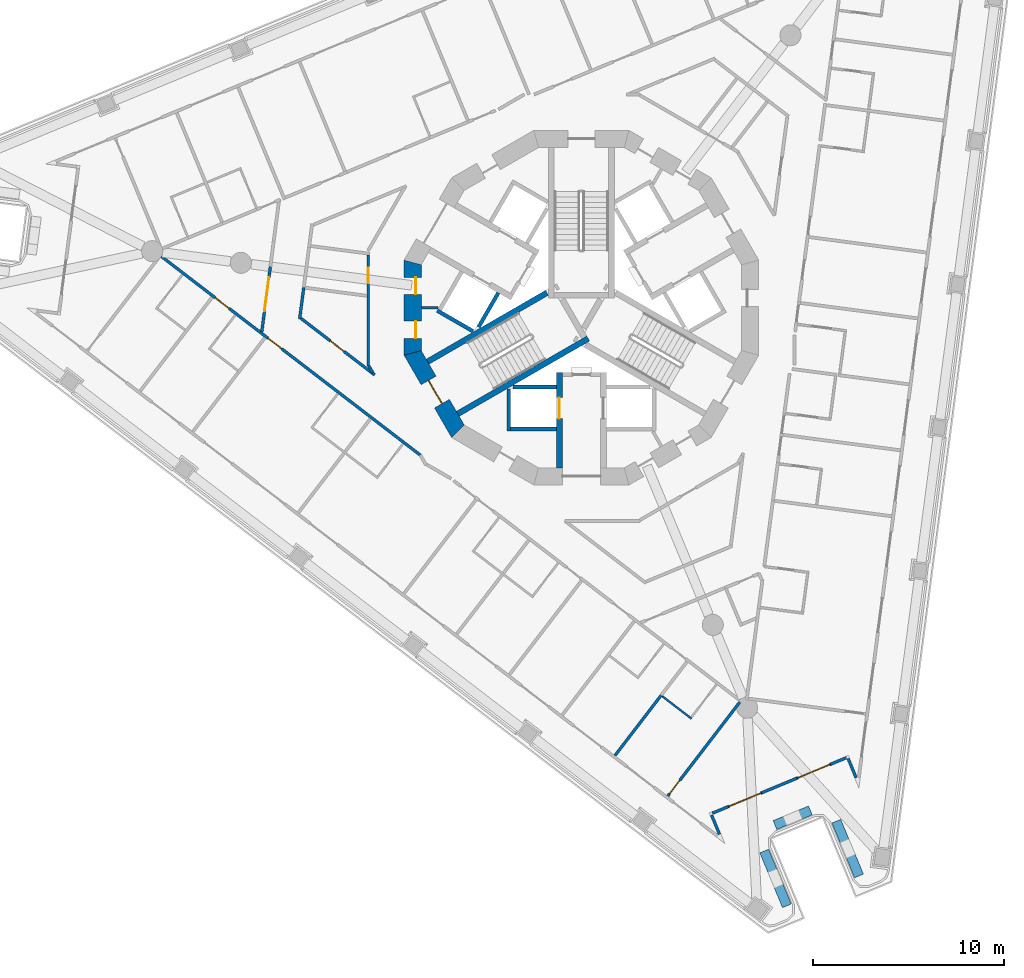
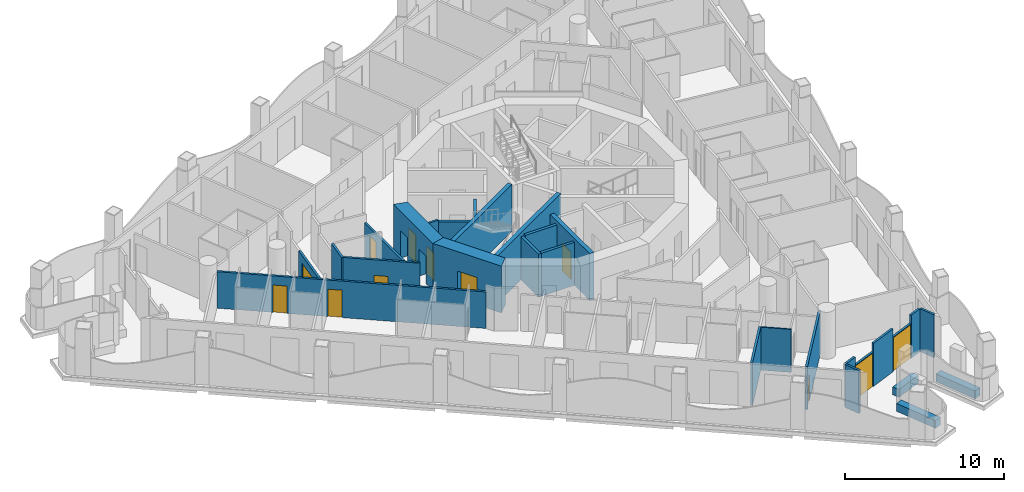
# One storey, part 3 of 17: 30 walls, 12 doors, 12 openings.
"""IFC4 building model written with IfcOpenShell, lengths in metres."""

from ifc_helpers import new_model, si_unit, direction, frame, frame_2d, origin, place, context, subcontext, project, spatial, polyline, rectangle, outline, extrude, material, layer, layer_set, type_object, element, fill, save


model = new_model("IFC4")

# Units and contexts
model_context = context("Model", 3, precision=1e-05, world=origin(), true_north=direction((0.0, 1.0)))
body_context = subcontext(model_context, "Body", "Model", "MODEL_VIEW")
ifc_project = project(units=[si_unit("LENGTHUNIT", "METRE"), si_unit("AREAUNIT", "SQUARE_METRE"), si_unit("VOLUMEUNIT", "CUBIC_METRE"), si_unit("PLANEANGLEUNIT", "RADIAN"), si_unit("MASSUNIT", "GRAM", prefix="KILO")], contexts=[model_context])

# Site, building, storey
site_placement = place(None, origin())
site = spatial("IfcSite", under=ifc_project, at=site_placement, CompositionType="ELEMENT")
building_placement = place(site_placement, origin())
building = spatial("IfcBuilding", under=site, at=building_placement, Name="Trine Commons Tower", CompositionType="ELEMENT")
storey_placement = place(building_placement, frame((0.0, 0.0, 127.800048828125)))
storey = spatial("IfcBuildingStorey", under=building, at=storey_placement, Name="L32", CompositionType="ELEMENT", Elevation=127.800048828125)

# Walls
ifc_material_1 = material(Name="Plasterboard partition on steel studs", Category="steel")
ifc_layer_1 = layer(ifc_material_1, 0.14990234375)
ifc_layer_set_1 = layer_set([ifc_layer_1], Name="Plasterboard partition on steel studs")
wall_type_1 = type_object("IfcWallType", Name="Core room partition 150 mm, EI 60", PredefinedType="PARTITIONING", material=ifc_layer_set_1)
wall_1_placement = place(storey_placement, frame((71.626953125, 62.5, 0.0), z_axis=(0.0, 0.0, 1.0), x_axis=(1.0, 0.0, 0.0)))
element("IfcWall", 1, at=wall_1_placement, inside=storey, type_object=wall_type_1, Name="Core room partition L32", PredefinedType="PARTITIONING", context=body_context, shape_type="SweptSolid", body=[
    extrude(rectangle(XDim=0.882080078125, YDim=0.14990234375, at=frame_2d((0.44091796875, 0.0))), origin(), (0.0, 0.0, 1.0), 3.300048828125),
])
ifc_material_2 = material(Name="Aluminium-framed insulated wall panel", Category="aluminium")
ifc_layer_2 = layer(ifc_material_2, 0.14990234375)
ifc_layer_set_2 = layer_set([ifc_layer_2], Name="Aluminium-framed insulated wall panel")
wall_type_2 = type_object("IfcWallType", Name="Glazed frame wall 150, EI 60", PredefinedType="SOLIDWALL", material=ifc_layer_set_2)
wall_2_placement = place(storey_placement, frame((94.42041015625, 37.78564453125, 0.0), z_axis=(0.0, 0.0, 1.0), x_axis=(-0.382629665579, 0.923901801611, 0.0)))
element("IfcWall", 2, at=wall_2_placement, inside=storey, type_object=wall_type_2, Name="Glazed frame wall R9", PredefinedType="SOLIDWALL", context=body_context, shape_type="SweptSolid", body=[
    extrude(outline(polyline([(0.1494140625, 0.074951171875), (0.1494140625, -0.074951171875), (1.235107421875, -0.074951171875), (1.235107421875, 0.074951171875), (0.1494140625, 0.074951171875)])), origin(), (0.0, 0.0, 1.0), 3.300048828125),
])
wall_3_placement = place(storey_placement, frame((93.951416015625, 39.009521484375, 0.0), z_axis=(0.0, 0.0, 1.0), x_axis=(-0.923826362943, -0.382811769845, 0.0)))
element("IfcWall", 3, at=wall_3_placement, inside=storey, type_object=wall_type_2, Name="Glazed frame wall P3.1", PredefinedType="SOLIDWALL", context=body_context, shape_type="SweptSolid", body=[
    extrude(outline(polyline([(0.110107421875, -0.074951171875), (1.0, -0.074951171875), (1.0, 0.074951171875), (0.110107421875, 0.074951171875), (0.110107421875, -0.074951171875)])), origin(), (0.0, 0.0, 1.0), 3.300048828125),
])

# Wall, opening, door
wall_4_placement = place(storey_placement, frame((93.027587890625, 38.626708984375, 0.0), z_axis=(0.0, 0.0, 1.0), x_axis=(-0.923888414498, -0.382661988648, 0.0)))
wall_4 = element("IfcWall", 4, at=wall_4_placement, inside=storey, type_object=wall_type_2, Name="Glazed frame wall P3.2", PredefinedType="SOLIDWALL", context=body_context, shape_type="SweptSolid", body=[
    extrude(outline(polyline([(0.0, -0.074951171875), (1.89990234375, -0.074951171875), (1.89990234375, 0.074951171875), (0.0, 0.074951171875), (0.0, -0.074951171875)])), origin(), (0.0, 0.0, 1.0), 2.64990234375),
])
opening_1_placement = place(wall_4_placement, frame((0.050048828125, 0.0, 0.0)))
opening_1 = element("IfcOpeningElement", 5, at=opening_1_placement, cuts=wall_4, Name="Opening BD-4P3-01", PredefinedType="OPENING", context=body_context, shape_type="SweptSolid", body=[
    extrude(rectangle(XDim=1.800048828125, YDim=2.60009765625, at=frame_2d((0.89990234375, 1.300048828125))), frame((0.0, 0.0849609375, 0.0), z_axis=(0.0, -1.0, 0.0), x_axis=(1.0, 0.0, 0.0)), (0.0, 0.0, 1.0), 0.169921875),
])
ifc_material_3 = material(Name="Anodised aluminium frame with double glazing", Category="aluminium")
door_type_1 = type_object("IfcDoorType", Name="Sliding loggia door 1800x2600", OperationType="SLIDING_TO_LEFT", PredefinedType="DOOR", material=ifc_material_3)
door_1_placement = place(opening_1_placement, origin())
door_1 = element("IfcDoor", 6, at=door_1_placement, inside=storey, type_object=door_type_1, Name="Loggia door P3 1", OperationType="SLIDING_TO_LEFT", OverallHeight=2.60009765625, OverallWidth=1.800048828125, PredefinedType="DOOR", context=body_context, shape_type="SweptSolid", body=[
    extrude(rectangle(XDim=1.800048828125, YDim=2.60009765625, at=frame_2d((0.89990234375, 1.300048828125))), frame((0.0, 0.02490234375, 0.0), z_axis=(0.0, -1.0, 0.0), x_axis=(1.0, 0.0, 0.0)), (0.0, 0.0, 1.0), 0.050048828125),
])
fill(opening_1, door_1)

# Wall
wall_5_placement = place(storey_placement, frame((91.272216796875, 37.899658203125, 0.0), z_axis=(0.0, 0.0, 1.0), x_axis=(-0.923887406181, -0.382664423091, 0.0)))
element("IfcWall", 7, at=wall_5_placement, inside=storey, type_object=wall_type_2, Name="Glazed frame wall P3.3", PredefinedType="SOLIDWALL", context=body_context, shape_type="SweptSolid", body=[
    extrude(outline(polyline([(0.0, -0.074951171875), (2.0, -0.074951171875), (2.0, 0.074951171875), (0.0, 0.074951171875), (0.0, -0.074951171875)])), origin(), (0.0, 0.0, 1.0), 3.300048828125),
])

# Wall, opening, door
wall_6_placement = place(storey_placement, frame((89.42431640625, 37.13427734375, 0.0), z_axis=(0.0, 0.0, 1.0), x_axis=(-0.923869595408, -0.382707421773, 0.0)))
wall_6 = element("IfcWall", 8, at=wall_6_placement, inside=storey, type_object=wall_type_2, Name="Glazed frame wall P3.4", PredefinedType="SOLIDWALL", context=body_context, shape_type="SweptSolid", body=[
    extrude(outline(polyline([(0.0, -0.074951171875), (1.89990234375, -0.074951171875), (1.89990234375, 0.074951171875), (0.0, 0.074951171875), (0.0, -0.074951171875)])), origin(), (0.0, 0.0, 1.0), 2.64990234375),
])
opening_2_placement = place(wall_6_placement, frame((0.050048828125, 0.0, 0.0)))
opening_2 = element("IfcOpeningElement", 9, at=opening_2_placement, cuts=wall_6, Name="Opening BD-4P3-02", PredefinedType="OPENING", context=body_context, shape_type="SweptSolid", body=[
    extrude(rectangle(XDim=1.800048828125, YDim=2.60009765625, at=frame_2d((0.89990234375, 1.300048828125))), frame((0.0, 0.0849609375, 0.0), z_axis=(0.0, -1.0, 0.0), x_axis=(1.0, 0.0, 0.0)), (0.0, 0.0, 1.0), 0.169921875),
])
door_2_placement = place(opening_2_placement, origin())
door_2 = element("IfcDoor", 10, at=door_2_placement, inside=storey, type_object=door_type_1, Name="Loggia door P3 2", OperationType="SLIDING_TO_LEFT", OverallHeight=2.60009765625, OverallWidth=1.800048828125, PredefinedType="DOOR", context=body_context, shape_type="SweptSolid", body=[
    extrude(rectangle(XDim=1.800048828125, YDim=2.60009765625, at=frame_2d((0.89990234375, 1.300048828125))), frame((0.0, 0.02490234375, 0.0), z_axis=(0.0, -1.0, 0.0), x_axis=(1.0, 0.0, 0.0)), (0.0, 0.0, 1.0), 0.050048828125),
])
fill(opening_2, door_2)

# Walls
wall_7_placement = place(storey_placement, frame((87.669189453125, 36.4072265625, 0.0), z_axis=(0.0, 0.0, 1.0), x_axis=(-0.923862128325, -0.382725447084, 0.0)))
element("IfcWall", 11, at=wall_7_placement, inside=storey, type_object=wall_type_2, Name="Glazed frame wall P3.5", PredefinedType="SOLIDWALL", context=body_context, shape_type="SweptSolid", body=[
    extrude(outline(polyline([(0.889892578125, 0.074951171875), (0.0, 0.074951171875), (0.0, -0.074951171875), (0.889892578125, -0.074951171875), (0.889892578125, 0.074951171875)])), origin(), (0.0, 0.0, 1.0), 3.300048828125),
])
wall_8_placement = place(storey_placement, frame((86.76416015625, 36.0703125, 0.0), z_axis=(0.0, 0.0, 1.0), x_axis=(0.382629665579, -0.923901801611, 0.0)))
element("IfcWall", 12, at=wall_8_placement, inside=storey, type_object=wall_type_2, Name="Glazed frame wall R11", PredefinedType="SOLIDWALL", context=body_context, shape_type="SweptSolid", body=[
    extrude(outline(polyline([(0.110107421875, 0.074951171875), (0.110107421875, -0.074951171875), (1.19580078125, -0.074951171875), (1.19580078125, 0.074951171875), (0.110107421875, 0.074951171875)])), origin(), (0.0, 0.0, 1.0), 3.300048828125),
])
ifc_material_4 = material(Name="Planter trough, precast concrete C40/50", Category="concrete")
ifc_layer_3 = layer(ifc_material_4, 0.5)
ifc_layer_set_3 = layer_set([ifc_layer_3], Name="Planter trough, precast concrete C40/50")
wall_type_3 = type_object("IfcWallType", Name="Planter trough 500x600", PredefinedType="PARAPET", material=ifc_layer_set_3)
wall_9_placement = place(storey_placement, frame((94.515625, 32.78662109375, 0.0), z_axis=(0.0, 0.0, 1.0), x_axis=(-0.382674068277, 0.923883411188, 0.0)))
element("IfcWall", 13, at=wall_9_placement, inside=storey, type_object=wall_type_3, Name="Planter 7", PredefinedType="PARAPET", context=body_context, shape_type="SweptSolid", body=[
    extrude(rectangle(XDim=3.099853515625, YDim=0.5, at=frame_2d((1.5498046875, 0.0))), origin(), (0.0, 0.0, 1.0), 0.599853515625),
])
wall_10_placement = place(storey_placement, frame((91.970703125, 36.21337890625, 0.0), z_axis=(0.0, 0.0, 1.0), x_axis=(-0.923930555985, -0.382560227567, 0.0)))
element("IfcWall", 14, at=wall_10_placement, inside=storey, type_object=wall_type_3, Name="Planter 8", PredefinedType="PARAPET", context=body_context, shape_type="SweptSolid", body=[
    extrude(rectangle(XDim=2.0, YDim=0.5, at=frame_2d((1.0, 0.0))), origin(), (0.0, 0.0, 1.0), 0.599853515625),
])
wall_11_placement = place(storey_placement, frame((89.56005859375, 34.08935546875, 0.0), z_axis=(0.0, 0.0, 1.0), x_axis=(0.382674068277, -0.923883411188, 0.0)))
element("IfcWall", 15, at=wall_11_placement, inside=storey, type_object=wall_type_3, Name="Planter 9", PredefinedType="PARAPET", context=body_context, shape_type="SweptSolid", body=[
    extrude(rectangle(XDim=3.099853515625, YDim=0.5, at=frame_2d((1.5498046875, 0.0))), origin(), (0.0, 0.0, 1.0), 0.599853515625),
])

# Wall, opening, door
ifc_material_5 = material(Name="Concrete C70/85", Category="concrete")
ifc_layer_4 = layer(ifc_material_5, 0.300048828125)
ifc_layer_set_4 = layer_set([ifc_layer_4], Name="Concrete C70/85")
wall_type_4 = type_object("IfcWallType", Name="RC shear wall 300 mm, C70/85", PredefinedType="SHEAR", material=ifc_layer_set_4)
wall_12_placement = place(storey_placement, frame((78.85009765625, 59.10009765625, 0.0), z_axis=(0.0, 0.0, 1.0), x_axis=(0.0, -1.0, 0.0)))
wall_12 = element("IfcWall", 16, at=wall_12_placement, inside=storey, type_object=wall_type_4, Name="Core cross wall SWB-03 L32", PredefinedType="SHEAR", context=body_context, shape_type="SweptSolid", body=[
    extrude(rectangle(XDim=4.97314453125, YDim=0.300048828125, at=frame_2d((2.486572265625, 0.0))), origin(), (0.0, 0.0, 1.0), 3.599853515625),
])
opening_3_placement = place(wall_12_placement, frame((1.300048828125, 0.0, 0.0)))
opening_3 = element("IfcOpeningElement", 17, at=opening_3_placement, cuts=wall_12, Name="Opening LD10", PredefinedType="OPENING", context=body_context, shape_type="SweptSolid", body=[
    extrude(rectangle(XDim=1.10009765625, YDim=2.10009765625, at=frame_2d((0.550048828125, 1.050048828125))), frame((0.0, 0.159912109375, 0.0), z_axis=(0.0, -1.0, 0.0), x_axis=(1.0, 0.0, 0.0)), (0.0, 0.0, 1.0), 0.320068359375),
])
ifc_material_6 = material(Name="Stainless steel sliding door leaves", Category="steel")
door_type_2 = type_object("IfcDoorType", Name="Lift landing door, centre-opening sliding 1100 x 2100, FD90", OperationType="DOUBLE_DOOR_SLIDING", PredefinedType="DOOR", material=ifc_material_6)
door_3_placement = place(opening_3_placement, origin())
door_3 = element("IfcDoor", 18, at=door_3_placement, inside=storey, type_object=door_type_2, Name="Lift landing door FF2 L32", OperationType="DOUBLE_DOOR_SLIDING", OverallHeight=2.10009765625, OverallWidth=1.10009765625, PredefinedType="DOOR", context=body_context, shape_type="SweptSolid", body=[
    extrude(rectangle(XDim=1.10009765625, YDim=2.10009765625, at=frame_2d((0.550048828125, 1.050048828125))), frame((0.0, 0.02490234375, 0.0), z_axis=(0.0, -1.0, 0.0), x_axis=(1.0, 0.0, 0.0)), (0.0, 0.0, 1.0), 0.050048828125),
])
fill(opening_3, door_3)

# Walls
wall_13_placement = place(storey_placement, frame((78.199951171875, 63.280029296875, 0.0), z_axis=(0.0, 0.0, 1.0), x_axis=(-0.866028135082, -0.499995269223, 0.0)))
element("IfcWall", 19, at=wall_13_placement, inside=storey, type_object=wall_type_4, Name="Core cross wall SWB-07 L32", PredefinedType="SHEAR", context=body_context, shape_type="SweptSolid", body=[
    extrude(rectangle(XDim=7.2041015625, YDim=0.300048828125, at=frame_2d((3.60205078125, 0.0))), origin(), (0.0, 0.0, 1.0), 3.599853515625),
])
wall_14_placement = place(storey_placement, frame((80.35400390625, 60.885986328125, 0.0), z_axis=(0.0, 0.0, 1.0), x_axis=(-0.866047706748, -0.499961368145, 0.0)))
element("IfcWall", 20, at=wall_14_placement, inside=storey, type_object=wall_type_4, Name="Core cross wall SWB-14 L32", PredefinedType="SHEAR", context=body_context, shape_type="SweptSolid", body=[
    extrude(rectangle(XDim=7.87255859375, YDim=0.300048828125, at=frame_2d((3.936279296875, 0.0))), origin(), (0.0, 0.0, 1.0), 3.599853515625),
])

# Wall, openings, doors
ifc_layer_5 = layer(ifc_material_5, 0.89990234375)
ifc_layer_set_5 = layer_set([ifc_layer_5], Name="Concrete C70/85")
wall_type_5 = type_object("IfcWallType", Name="RC shear wall 900 mm, C70/85", PredefinedType="SHEAR", material=ifc_layer_set_5)
wall_15_placement = place(storey_placement, frame((71.177001953125, 64.984619140625, 0.0), z_axis=(0.0, 0.0, 1.0), x_axis=(0.0, -1.0, 0.0)))
wall_15 = element("IfcWall", 21, at=wall_15_placement, inside=storey, type_object=wall_type_5, Name="Core wall CWD-07 L32", PredefinedType="SHEAR", context=body_context, shape_type="SweptSolid", body=[
    extrude(outline(polyline([(0.0, -0.449951171875), (4.969482421875, -0.449951171875), (4.728271484375, 0.449951171875), (0.2412109375, 0.449951171875), (0.0, -0.449951171875)])), origin(), (0.0, 0.0, 1.0), 3.599853515625),
])
opening_4_placement = place(wall_15_placement, frame((0.893798828125, 0.0, 0.0)))
opening_4 = element("IfcOpeningElement", 22, at=opening_4_placement, cuts=wall_15, Name="Opening K11.14", PredefinedType="OPENING", context=body_context, shape_type="SweptSolid", body=[
    extrude(rectangle(XDim=0.89990234375, YDim=2.10009765625, at=frame_2d((0.449951171875, 1.050048828125))), frame((0.0, 0.4599609375, 0.0), z_axis=(0.0, -1.0, 0.0), x_axis=(1.0, 0.0, 0.0)), (0.0, 0.0, 1.0), 0.919921875),
])
opening_5_placement = place(wall_15_placement, frame((3.184814453125, 0.0, 0.0)))
opening_5 = element("IfcOpeningElement", 23, at=opening_5_placement, cuts=wall_15, Name="Opening K11.15", PredefinedType="OPENING", context=body_context, shape_type="SweptSolid", body=[
    extrude(rectangle(XDim=0.89990234375, YDim=2.10009765625, at=frame_2d((0.449951171875, 1.050048828125))), frame((0.0, 0.4599609375, 0.0), z_axis=(0.0, -1.0, 0.0), x_axis=(1.0, 0.0, 0.0)), (0.0, 0.0, 1.0), 0.919921875),
])
ifc_material_7 = material(Name="Steel door leaf, fire-rated", Category="steel")
door_type_3 = type_object("IfcDoorType", Name="Core room door, single leaf 900 x 2100, FD30S", OperationType="SINGLE_SWING_LEFT", PredefinedType="DOOR", material=ifc_material_7)
door_4_placement = place(opening_4_placement, origin())
door_4 = element("IfcDoor", 24, at=door_4_placement, inside=storey, type_object=door_type_3, Name="Door to Cleaner's store L32", OperationType="SINGLE_SWING_LEFT", OverallHeight=2.10009765625, OverallWidth=0.89990234375, PredefinedType="DOOR", context=body_context, shape_type="SweptSolid", body=[
    extrude(rectangle(XDim=0.89990234375, YDim=2.10009765625, at=frame_2d((0.449951171875, 1.050048828125))), frame((0.0, 0.1748046875, 0.0), z_axis=(0.0, -1.0, 0.0), x_axis=(1.0, 0.0, 0.0)), (0.0, 0.0, 1.0), 0.050048828125),
])
fill(opening_4, door_4)
door_5_placement = place(opening_5_placement, origin())
door_5 = element("IfcDoor", 25, at=door_5_placement, inside=storey, type_object=door_type_3, Name="Door to Accessible WC L32", OperationType="SINGLE_SWING_RIGHT", OverallHeight=2.10009765625, OverallWidth=0.89990234375, PredefinedType="DOOR", context=body_context, shape_type="SweptSolid", body=[
    extrude(rectangle(XDim=0.89990234375, YDim=2.10009765625, at=frame_2d((0.449951171875, 1.050048828125))), frame((0.0, 0.1748046875, 0.0), z_axis=(0.0, -1.0, 0.0), x_axis=(1.0, 0.0, 0.0)), (0.0, 0.0, 1.0), 0.050048828125),
])
fill(opening_5, door_5)

# Wall, opening, door
wall_16_placement = place(storey_placement, frame((71.11669921875, 60.240234375, 0.0), z_axis=(0.0, 0.0, 1.0), x_axis=(0.500038571144, -0.866003133579, 0.0)))
wall_16 = element("IfcWall", 26, at=wall_16_placement, inside=storey, type_object=wall_type_5, Name="Core wall CWD-08 L32", PredefinedType="SHEAR", context=body_context, shape_type="SweptSolid", body=[
    extrude(outline(polyline([(0.0, -0.449951171875), (4.96923828125, -0.449951171875), (4.72802734375, 0.449951171875), (0.2412109375, 0.449951171875), (0.0, -0.449951171875)])), origin(), (0.0, 0.0, 1.0), 3.599853515625),
])
opening_6_placement = place(wall_16_placement, frame((1.78466796875, 0.0, 0.0)))
opening_6 = element("IfcOpeningElement", 27, at=opening_6_placement, cuts=wall_16, Name="Opening K11.02", PredefinedType="OPENING", context=body_context, shape_type="SweptSolid", body=[
    extrude(rectangle(XDim=1.39990234375, YDim=2.10009765625, at=frame_2d((0.699951171875, 1.050048828125))), frame((0.0, 0.4599609375, 0.0), z_axis=(0.0, -1.0, 0.0), x_axis=(1.0, 0.0, 0.0)), (0.0, 0.0, 1.0), 0.919921875),
])
ifc_material_8 = material(Name="Steel door leaves, fire-rated", Category="steel")
door_type_4 = type_object("IfcDoorType", Name="Stair door, double leaf 1400 x 2100, FD90", OperationType="DOUBLE_DOOR_SINGLE_SWING", PredefinedType="DOOR", material=ifc_material_8)
door_6_placement = place(opening_6_placement, origin())
door_6 = element("IfcDoor", 28, at=door_6_placement, inside=storey, type_object=door_type_4, Name="Stair door to Exit stair ST2B L32", OperationType="DOUBLE_DOOR_SINGLE_SWING", OverallHeight=2.10009765625, OverallWidth=1.39990234375, PredefinedType="DOOR", context=body_context, shape_type="SweptSolid", body=[
    extrude(rectangle(XDim=1.39990234375, YDim=2.10009765625, at=frame_2d((0.699951171875, 1.050048828125))), frame((0.0, 0.02490234375, 0.0), z_axis=(0.0, -1.0, 0.0), x_axis=(1.0, 0.0, 0.0)), (0.0, 0.0, 1.0), 0.050048828125),
])
fill(opening_6, door_6)

# Walls
ifc_material_9 = material(Name="Fire-rated gypsum shaft wall system")
ifc_layer_6 = layer(ifc_material_9, 0.199951171875)
ifc_layer_set_6 = layer_set([ifc_layer_6], Name="Fire-rated gypsum shaft wall system")
wall_type_6 = type_object("IfcWallType", Name="Shaft wall 200 mm, EI 120", PredefinedType="PARTITIONING", material=ifc_layer_set_6)
wall_17_placement = place(storey_placement, frame((74.324951171875, 61.27392578125, 0.0), z_axis=(0.0, 0.0, 1.0), x_axis=(-0.866102336459, 0.499866725018, 0.0)))
element("IfcWall", 29, at=wall_17_placement, inside=storey, type_object=wall_type_6, Name="Shaft wall L32", PredefinedType="PARTITIONING", context=body_context, shape_type="SweptSolid", body=[
    extrude(rectangle(XDim=2.1484375, YDim=0.199951171875, at=frame_2d((1.07421875, 0.0))), origin(), (0.0, 0.0, 1.0), 3.300048828125),
])
wall_18_placement = place(storey_placement, frame((75.656005859375, 63.27587890625, 0.0), z_axis=(0.0, 0.0, 1.0), x_axis=(-0.500271688072, -0.86586848777, 0.0)))
element("IfcWall", 30, at=wall_18_placement, inside=storey, type_object=wall_type_6, Name="Shaft wall L32", PredefinedType="PARTITIONING", context=body_context, shape_type="SweptSolid", body=[
    extrude(rectangle(XDim=2.064697265625, YDim=0.199951171875, at=frame_2d((1.0322265625, 0.0))), origin(), (0.0, 0.0, 1.0), 3.300048828125),
])
wall_19_placement = place(storey_placement, frame((76.199951171875, 58.257080078125, 0.0), z_axis=(0.0, 0.0, 1.0), x_axis=(0.0, -1.0, 0.0)))
element("IfcWall", 31, at=wall_19_placement, inside=storey, type_object=wall_type_6, Name="Shaft wall L32", PredefinedType="PARTITIONING", context=body_context, shape_type="SweptSolid", body=[
    extrude(rectangle(XDim=2.20703125, YDim=0.199951171875, at=frame_2d((1.103515625, 0.0))), origin(), (0.0, 0.0, 1.0), 3.300048828125),
])
wall_20_placement = place(storey_placement, frame((78.699951171875, 56.14990234375, 0.0), z_axis=(0.0, 0.0, 1.0), x_axis=(-1.0, 0.0, 0.0)))
element("IfcWall", 32, at=wall_20_placement, inside=storey, type_object=wall_type_6, Name="Shaft wall L32", PredefinedType="PARTITIONING", context=body_context, shape_type="SweptSolid", body=[
    extrude(rectangle(XDim=2.39990234375, YDim=0.199951171875, at=frame_2d((1.199951171875, 0.0))), origin(), (0.0, 0.0, 1.0), 3.300048828125),
])
wall_21_placement = place(storey_placement, frame((78.699951171875, 58.35009765625, 0.0), z_axis=(0.0, 0.0, 1.0), x_axis=(-1.0, 0.0, 0.0)))
element("IfcWall", 33, at=wall_21_placement, inside=storey, type_object=wall_type_6, Name="Shaft wall L32", PredefinedType="PARTITIONING", context=body_context, shape_type="SweptSolid", body=[
    extrude(rectangle(XDim=2.264892578125, YDim=0.199951171875, at=frame_2d((1.13232421875, 0.0))), origin(), (0.0, 0.0, 1.0), 3.300048828125),
])

# Wall, openings, doors
ifc_material_10 = material(Name="Gypsum plasterboard on steel stud", Category="steel")
ifc_layer_7 = layer(ifc_material_10, 0.14990234375)
ifc_layer_set_7 = layer_set([ifc_layer_7], Name="Gypsum plasterboard on steel stud")
wall_type_7 = type_object("IfcWallType", Name="Unit and corridor wall 150 mm, EI 60", PredefinedType="PARTITIONING", material=ifc_layer_set_7)
wall_22_placement = place(storey_placement, frame((58.04150390625, 65.17626953125, 0.0), z_axis=(0.0, 0.0, 1.0), x_axis=(0.793390311924, -0.608713243609, 0.0)))
wall_22 = element("IfcWall", 34, at=wall_22_placement, inside=storey, type_object=wall_type_7, Name="Partition 006", PredefinedType="PARTITIONING", context=body_context, shape_type="SweptSolid", body=[
    extrude(rectangle(XDim=17.064208984375, YDim=0.14990234375, at=frame_2d((8.5322265625, 0.0))), origin(), (0.0, 0.0, 1.0), 2.800048828125),
])
opening_7_placement = place(wall_22_placement, frame((7.02880859375, 0.0, 0.0)))
opening_7 = element("IfcOpeningElement", 35, at=opening_7_placement, cuts=wall_22, Name="Opening D-4A29", PredefinedType="OPENING", context=body_context, shape_type="SweptSolid", body=[
    extrude(rectangle(XDim=0.89990234375, YDim=2.10009765625, at=frame_2d((0.449951171875, 1.050048828125))), frame((0.0, 0.0849609375, 0.0), z_axis=(0.0, -1.0, 0.0), x_axis=(1.0, 0.0, 0.0)), (0.0, 0.0, 1.0), 0.169921875),
])
opening_8_placement = place(wall_22_placement, frame((3.55126953125, 0.0, 0.0)))
opening_8 = element("IfcOpeningElement", 36, at=opening_8_placement, cuts=wall_22, Name="Opening D-4A30", PredefinedType="OPENING", context=body_context, shape_type="SweptSolid", body=[
    extrude(rectangle(XDim=0.89990234375, YDim=2.10009765625, at=frame_2d((0.449951171875, 1.050048828125))), frame((0.0, 0.0849609375, 0.0), z_axis=(0.0, -1.0, 0.0), x_axis=(1.0, 0.0, 0.0)), (0.0, 0.0, 1.0), 0.169921875),
])
ifc_material_11 = material(Name="Timber fire door set", Category="wood")
door_type_5 = type_object("IfcDoorType", Name="Bedroom door 900 x 2100, FD30S", OperationType="NOTDEFINED", PredefinedType="DOOR", material=ifc_material_11)
door_7_placement = place(opening_7_placement, frame((0.89990234375, 0.0, 0.0), z_axis=(0.0, 0.0, 1.0), x_axis=(-1.0, 0.0, 0.0)))
door_7 = element("IfcDoor", 37, at=door_7_placement, inside=storey, type_object=door_type_5, Name="Door D-4A29", OperationType="SINGLE_SWING_RIGHT", OverallHeight=2.10009765625, OverallWidth=0.89990234375, PredefinedType="DOOR", context=body_context, shape_type="SweptSolid", body=[
    extrude(rectangle(XDim=0.89990234375, YDim=2.10009765625, at=frame_2d((0.449951171875, 1.050048828125))), frame((0.0, 0.02490234375, 0.0), z_axis=(0.0, -1.0, 0.0), x_axis=(1.0, 0.0, 0.0)), (0.0, 0.0, 1.0), 0.050048828125),
])
fill(opening_7, door_7)
door_8_placement = place(opening_8_placement, frame((0.89990234375, 0.0, 0.0), z_axis=(0.0, 0.0, 1.0), x_axis=(-1.0, 0.0, 0.0)))
door_8 = element("IfcDoor", 38, at=door_8_placement, inside=storey, type_object=door_type_5, Name="Door D-4A30", OperationType="SINGLE_SWING_RIGHT", OverallHeight=2.10009765625, OverallWidth=0.89990234375, PredefinedType="DOOR", context=body_context, shape_type="SweptSolid", body=[
    extrude(rectangle(XDim=0.89990234375, YDim=2.10009765625, at=frame_2d((0.449951171875, 1.050048828125))), frame((0.0, 0.02490234375, 0.0), z_axis=(0.0, -1.0, 0.0), x_axis=(1.0, 0.0, 0.0)), (0.0, 0.0, 1.0), 0.050048828125),
])
fill(opening_8, door_8)

# Wall, opening, door
wall_23_placement = place(storey_placement, frame((63.286865234375, 61.2333984375, 0.0), z_axis=(0.0, 0.0, 1.0), x_axis=(0.130693367383, 0.991422838007, 0.0)))
wall_23 = element("IfcWall", 39, at=wall_23_placement, inside=storey, type_object=wall_type_7, Name="Partition 021", PredefinedType="PARTITIONING", context=body_context, shape_type="SweptSolid", body=[
    extrude(rectangle(XDim=3.437255859375, YDim=0.14990234375, at=frame_2d((1.71875, 0.0))), origin(), (0.0, 0.0, 1.0), 2.699951171875),
])
opening_9_placement = place(wall_23_placement, frame((1.0859375, 0.0, 0.0)))
opening_9 = element("IfcOpeningElement", 40, at=opening_9_placement, cuts=wall_23, Name="Opening D-4A03", PredefinedType="OPENING", context=body_context, shape_type="SweptSolid", body=[
    extrude(rectangle(XDim=1.800048828125, YDim=2.10009765625, at=frame_2d((0.89990234375, 1.050048828125))), frame((0.0, 0.0849609375, 0.0), z_axis=(0.0, -1.0, 0.0), x_axis=(1.0, 0.0, 0.0)), (0.0, 0.0, 1.0), 0.169921875),
])
door_type_6 = type_object("IfcDoorType", Name="Cluster entrance door 1800 x 2100, double leaf, FD30S", OperationType="DOUBLE_DOOR_DOUBLE_SWING", PredefinedType="DOOR", material=ifc_material_11)
door_9_placement = place(opening_9_placement, origin())
door_9 = element("IfcDoor", 41, at=door_9_placement, inside=storey, type_object=door_type_6, Name="Door D-4A03", OperationType="DOUBLE_DOOR_DOUBLE_SWING", OverallHeight=2.10009765625, OverallWidth=1.800048828125, PredefinedType="DOOR", context=body_context, shape_type="SweptSolid", body=[
    extrude(rectangle(XDim=1.800048828125, YDim=2.10009765625, at=frame_2d((0.89990234375, 1.050048828125))), frame((0.0, 0.02490234375, 0.0), z_axis=(0.0, -1.0, 0.0), x_axis=(1.0, 0.0, 0.0)), (0.0, 0.0, 1.0), 0.050048828125),
])
fill(opening_9, door_9)

# Wall
wall_24_placement = place(storey_placement, frame((65.26708984375, 61.91259765625, 0.0), z_axis=(0.0, 0.0, 1.0), x_axis=(0.130621934677, 0.991432251937, 0.0)))
element("IfcWall", 42, at=wall_24_placement, inside=storey, type_object=wall_type_7, Name="Partition 027", PredefinedType="PARTITIONING", context=body_context, shape_type="SweptSolid", body=[
    extrude(rectangle(XDim=1.65966796875, YDim=0.14990234375, at=frame_2d((0.829833984375, 0.0))), origin(), (0.0, 0.0, 1.0), 3.300048828125),
])

# Wall, opening, door
wall_25_placement = place(storey_placement, frame((65.33642578125, 61.94140625, 0.0), z_axis=(0.0, 0.0, 1.0), x_axis=(0.79340079326, -0.608699582105, 0.0)))
wall_25 = element("IfcWall", 43, at=wall_25_placement, inside=storey, type_object=wall_type_7, Name="Partition 028", PredefinedType="PARTITIONING", context=body_context, shape_type="SweptSolid", body=[
    extrude(rectangle(XDim=4.8564453125, YDim=0.14990234375, at=frame_2d((2.42822265625, 0.0))), origin(), (0.0, 0.0, 1.0), 3.300048828125),
])
opening_10_placement = place(wall_25_placement, frame((1.940185546875, 0.0, 0.0)))
opening_10 = element("IfcOpeningElement", 44, at=opening_10_placement, cuts=wall_25, Name="Opening D-4A33", PredefinedType="OPENING", context=body_context, shape_type="SweptSolid", body=[
    extrude(rectangle(XDim=0.89990234375, YDim=2.10009765625, at=frame_2d((0.449951171875, 1.050048828125))), frame((0.0, 0.0849609375, 0.0), z_axis=(0.0, -1.0, 0.0), x_axis=(1.0, 0.0, 0.0)), (0.0, 0.0, 1.0), 0.169921875),
])
door_type_7 = type_object("IfcDoorType", Name="Service door 900 x 2100, FD30S", OperationType="NOTDEFINED", PredefinedType="DOOR", material=ifc_material_11)
door_10_placement = place(opening_10_placement, origin())
door_10 = element("IfcDoor", 45, at=door_10_placement, inside=storey, type_object=door_type_7, Name="Door D-4A33", OperationType="SINGLE_SWING_LEFT", OverallHeight=2.10009765625, OverallWidth=0.89990234375, PredefinedType="DOOR", context=body_context, shape_type="SweptSolid", body=[
    extrude(rectangle(XDim=0.89990234375, YDim=2.10009765625, at=frame_2d((0.449951171875, 1.050048828125))), frame((0.0, 0.02490234375, 0.0), z_axis=(0.0, -1.0, 0.0), x_axis=(1.0, 0.0, 0.0)), (0.0, 0.0, 1.0), 0.050048828125),
])
fill(opening_10, door_10)

wall_26_placement = place(storey_placement, frame((68.85205078125, 59.43798828125, 0.0), z_axis=(0.0, 0.0, 1.0), x_axis=(0.0, 1.0, 0.0)))
wall_26 = element("IfcWall", 46, at=wall_26_placement, inside=storey, type_object=wall_type_7, Name="Partition 038", PredefinedType="PARTITIONING", context=body_context, shape_type="SweptSolid", body=[
    extrude(rectangle(XDim=5.820068359375, YDim=0.14990234375, at=frame_2d((2.91015625, 0.0))), origin(), (0.0, 0.0, 1.0), 2.699951171875),
])
opening_11_placement = place(wall_26_placement, frame((4.345947265625, 0.0, 0.0)))
opening_11 = element("IfcOpeningElement", 47, at=opening_11_placement, cuts=wall_26, Name="Opening D-4A37", PredefinedType="OPENING", context=body_context, shape_type="SweptSolid", body=[
    extrude(rectangle(XDim=0.800048828125, YDim=2.10009765625, at=frame_2d((0.39990234375, 1.050048828125))), frame((0.0, 0.0849609375, 0.0), z_axis=(0.0, -1.0, 0.0), x_axis=(1.0, 0.0, 0.0)), (0.0, 0.0, 1.0), 0.169921875),
])
ifc_material_12 = material(Name="Painted timber", Category="wood")
door_type_8 = type_object("IfcDoorType", Name="Toilet door 800 x 2100, NOT RATED", OperationType="NOTDEFINED", PredefinedType="DOOR", material=ifc_material_12)
door_11_placement = place(opening_11_placement, origin())
door_11 = element("IfcDoor", 48, at=door_11_placement, inside=storey, type_object=door_type_8, Name="Door D-4A37", OperationType="SINGLE_SWING_RIGHT", OverallHeight=2.10009765625, OverallWidth=0.800048828125, PredefinedType="DOOR", context=body_context, shape_type="SweptSolid", body=[
    extrude(rectangle(XDim=0.800048828125, YDim=2.10009765625, at=frame_2d((0.39990234375, 1.050048828125))), frame((0.0, 0.02490234375, 0.0), z_axis=(0.0, -1.0, 0.0), x_axis=(1.0, 0.0, 0.0)), (0.0, 0.0, 1.0), 0.050048828125),
])
fill(opening_11, door_11)

# Walls
wall_27_placement = place(storey_placement, frame((68.889404296875, 59.447998046875, 0.0), z_axis=(0.0, 0.0, 1.0), x_axis=(0.499481060725, -0.866324806281, 0.0)))
element("IfcWall", 49, at=wall_27_placement, inside=storey, type_object=wall_type_7, Name="Partition 039", PredefinedType="PARTITIONING", context=body_context, shape_type="SweptSolid", body=[
    extrude(rectangle(XDim=0.40869140625, YDim=0.14990234375, at=frame_2d((0.204345703125, 0.0))), origin(), (0.0, 0.0, 1.0), 3.300048828125),
])
wall_28_placement = place(storey_placement, frame((81.75341796875, 39.07958984375, 0.0), z_axis=(0.0, 0.0, 1.0), x_axis=(0.608586492439, 0.793487543204, 0.0)))
element("IfcWall", 50, at=wall_28_placement, inside=storey, type_object=wall_type_7, Name="Partition 066", PredefinedType="PARTITIONING", context=body_context, shape_type="SweptSolid", body=[
    extrude(rectangle(XDim=3.968994140625, YDim=0.14990234375, at=frame_2d((1.984375, 0.0))), origin(), (0.0, 0.0, 1.0), 3.300048828125),
])

# Wall, opening, door
wall_29_placement = place(storey_placement, frame((84.51220703125, 36.962646484375, 0.0), z_axis=(0.0, 0.0, 1.0), x_axis=(0.608712047114, 0.79339122991, 0.0)))
wall_29 = element("IfcWall", 51, at=wall_29_placement, inside=storey, type_object=wall_type_7, Name="Partition 076", PredefinedType="PARTITIONING", context=body_context, shape_type="SweptSolid", body=[
    extrude(rectangle(XDim=6.193359375, YDim=0.14990234375, at=frame_2d((3.0966796875, 0.0))), origin(), (0.0, 0.0, 1.0), 3.300048828125),
])
opening_12_placement = place(wall_29_placement, frame((0.14990234375, 0.0, 0.0)))
opening_12 = element("IfcOpeningElement", 52, at=opening_12_placement, cuts=wall_29, Name="Opening D-4A23", PredefinedType="OPENING", context=body_context, shape_type="SweptSolid", body=[
    extrude(rectangle(XDim=0.89990234375, YDim=2.10009765625, at=frame_2d((0.449951171875, 1.050048828125))), frame((0.0, 0.0849609375, 0.0), z_axis=(0.0, -1.0, 0.0), x_axis=(1.0, 0.0, 0.0)), (0.0, 0.0, 1.0), 0.169921875),
])
door_12_placement = place(opening_12_placement, origin())
door_12 = element("IfcDoor", 53, at=door_12_placement, inside=storey, type_object=door_type_5, Name="Door D-4A23", OperationType="SINGLE_SWING_LEFT", OverallHeight=2.10009765625, OverallWidth=0.89990234375, PredefinedType="DOOR", context=body_context, shape_type="SweptSolid", body=[
    extrude(rectangle(XDim=0.89990234375, YDim=2.10009765625, at=frame_2d((0.449951171875, 1.050048828125))), frame((0.0, 0.02490234375, 0.0), z_axis=(0.0, -1.0, 0.0), x_axis=(1.0, 0.0, 0.0)), (0.0, 0.0, 1.0), 0.050048828125),
])
fill(opening_12, door_12)

# Wall
ifc_layer_8 = layer(ifc_material_10, 0.10009765625)
ifc_layer_set_8 = layer_set([ifc_layer_8], Name="Gypsum plasterboard on steel stud")
wall_type_8 = type_object("IfcWallType", Name="Unit partition 100 mm, no rating", PredefinedType="PARTITIONING", material=ifc_layer_set_8)
wall_30_placement = place(storey_placement, frame((84.228515625, 42.183349609375, 0.0), z_axis=(0.0, 0.0, 1.0), x_axis=(0.793391951231, -0.608711106948, 0.0)))
element("IfcWall", 54, at=wall_30_placement, inside=storey, type_object=wall_type_8, Name="Partition 075", PredefinedType="PARTITIONING", context=body_context, shape_type="SweptSolid", body=[
    extrude(rectangle(XDim=1.9248046875, YDim=0.10009765625, at=frame_2d((0.96240234375, 0.0))), origin(), (0.0, 0.0, 1.0), 3.300048828125),
])

save(model, "model.ifc")
